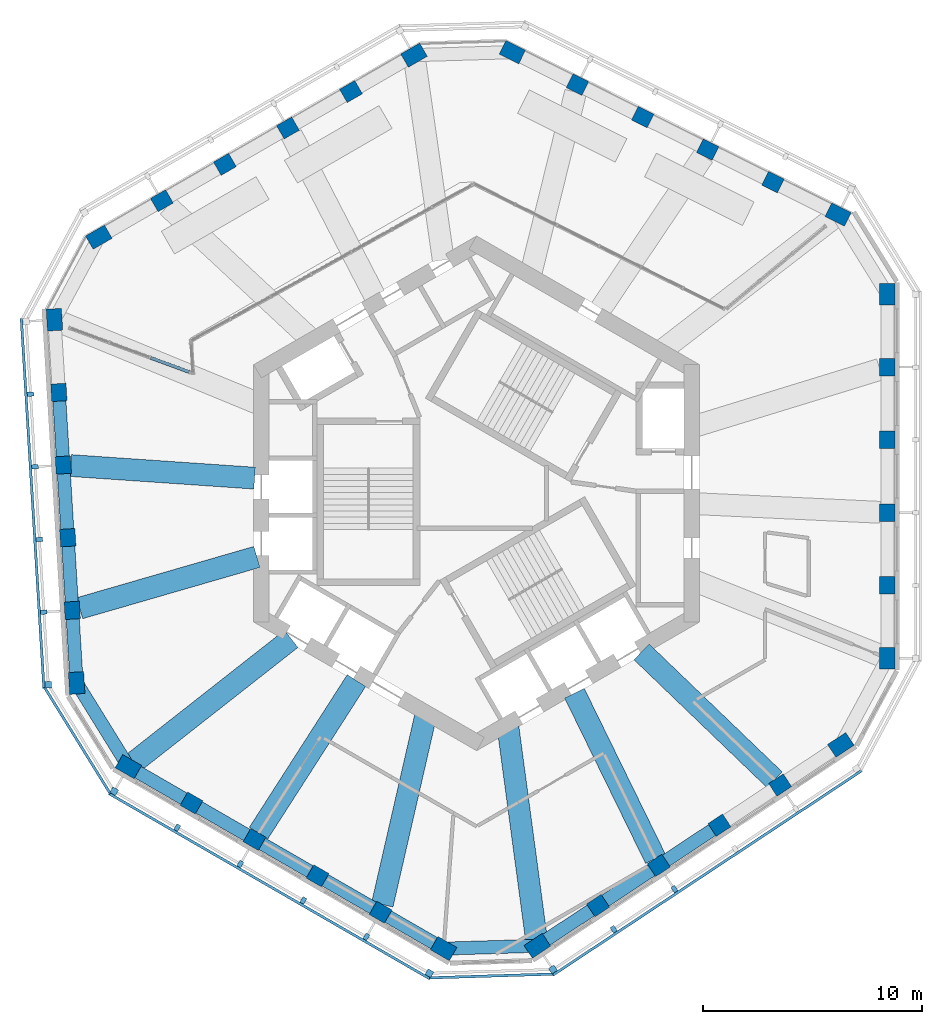
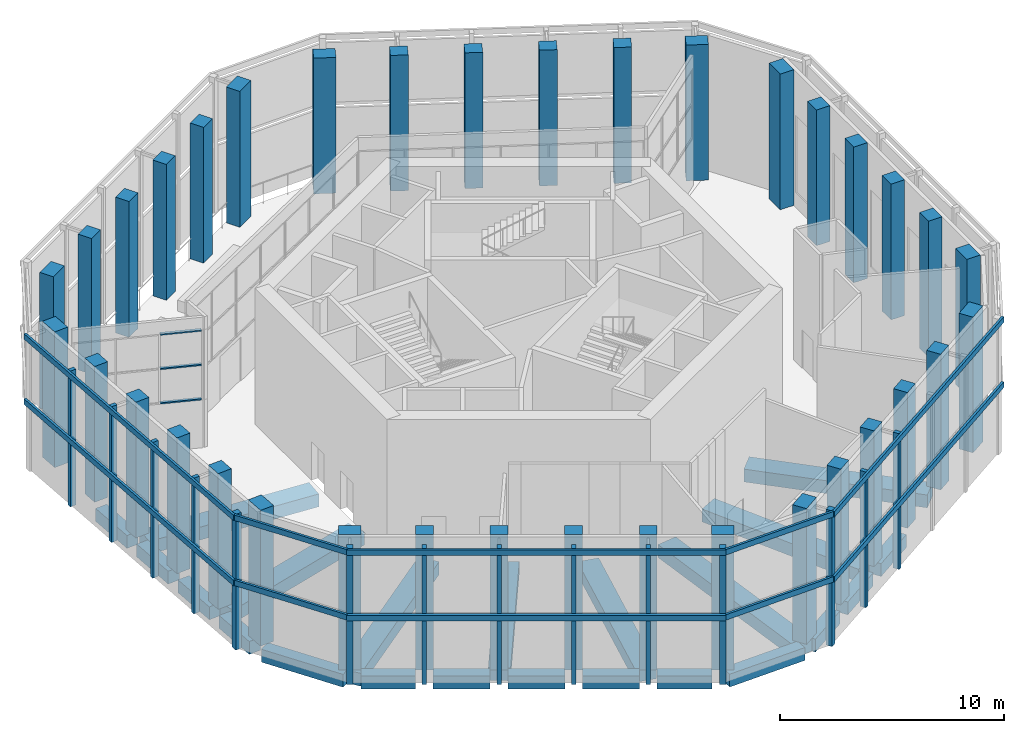
# One storey, part 1 of 16: 36 columns, 27 members, 22 beams, 6 elements without a shape of their own.
"""IFC4 building model written with IfcOpenShell, lengths in metres."""

from ifc_helpers import new_model, si_unit, direction, frame, origin, origin_2d, place, context, subcontext, project, spatial, rectangle, extrude, material, material_profile, profile_set, type_object, element, aggregate, save


model = new_model("IFC4")

# Units and contexts
model_context = context("Model", 3, precision=1e-05, world=origin(), true_north=direction((0.0, 1.0)))
body_context = subcontext(model_context, "Body", "Model", "MODEL_VIEW")
ifc_project = project(units=[si_unit("LENGTHUNIT", "METRE"), si_unit("AREAUNIT", "SQUARE_METRE"), si_unit("VOLUMEUNIT", "CUBIC_METRE"), si_unit("PLANEANGLEUNIT", "RADIAN"), si_unit("MASSUNIT", "GRAM", prefix="KILO")], contexts=[model_context])

# Site, building, storey
site_placement = place(None, origin())
site = spatial("IfcSite", under=ifc_project, at=site_placement, CompositionType="ELEMENT")
building_placement = place(site_placement, origin())
building = spatial("IfcBuilding", under=site, at=building_placement, Name="Vanh Sen Convention Tower", CompositionType="ELEMENT")
storey_placement = place(building_placement, frame((0.0, 0.0, 278.300048828125)))
storey = spatial("IfcBuildingStorey", under=building, at=storey_placement, Name="L69", CompositionType="ELEMENT", Elevation=278.300048828125)

# Columns
ifc_material_1 = material(Name="Concrete C60/75", Category="concrete")
ifc_material_profile_1 = material_profile(ifc_material_1, rectangle(XDim=0.800048828125, YDim=0.699951171875, at=origin_2d()), Name="RC 800X700")
ifc_profile_set_1 = profile_set([ifc_material_profile_1], Name="Concrete C60/75")
column_type_1 = type_object("IfcColumnType", Name="Facade column 800 x 700 C60/75", PredefinedType="COLUMN", material=ifc_profile_set_1)
for number, where, z_axis, x_axis, name in (
    (1, (18.800048828125, -4.215087890625, 0.0), (0.0, 0.0, 1.0), (0.0, 1.0, 0.0), "Facade column 02 L69"),
    (2, (18.800048828125, -0.88330078125, 0.0), (0.0, 0.0, 1.0), (0.0, 1.0, 0.0), "Facade column 03 L69"),
    (3, (18.800048828125, 2.4482421875, 0.0), (0.0, 0.0, 1.0), (0.0, 1.0, 0.0), "Facade column 04 L69"),
    (4, (18.800048828125, 5.77978515625, 0.0), (0.0, 0.0, 1.0), (0.0, 1.0, 0.0), "Facade column 05 L69"),
    (5, (13.56103515625, 14.245849609375, 0.0), (0.0, 0.0, 1.0), (-0.894934361602, 0.44619781311, 0.0), "Facade column 08 L69"),
    (6, (10.57958984375, 15.732421875, 0.0), (0.0, 0.0, 1.0), (-0.894934361602, 0.44619781311, 0.0), "Facade column 09 L69"),
    (7, (7.597900390625, 17.218994140625, 0.0), (0.0, 0.0, 1.0), (-0.894934361602, 0.44619781311, 0.0), "Facade column 10 L69"),
    (8, (4.6162109375, 18.70556640625, 0.0), (0.0, 0.0, 1.0), (-0.894934361602, 0.44619781311, 0.0), "Facade column 11 L69"),
    (9, (-5.74951171875, 18.388916015625, 0.0), (0.0, 0.0, 1.0), (-0.866025403784, -0.5, 0.0), "Facade column 14 L69"),
    (10, (-8.635009765625, 16.722900390625, 0.0), (0.0, 0.0, 1.0), (-0.866025403784, -0.5, 0.0), "Facade column 15 L69"),
    (11, (-11.520263671875, 15.05712890625, 0.0), (0.0, 0.0, 1.0), (-0.866025403784, -0.5, 0.0), "Facade column 16 L69"),
    (12, (-14.405517578125, 13.391357421875, 0.0), (0.0, 0.0, 1.0), (-0.866025403784, -0.5, 0.0), "Facade column 17 L69"),
    (13, (-19.117919921875, 4.621337890625, 0.0), (0.0, 0.0, 1.0), (0.061048539535, -0.998134798422, 0.0), "Facade column 20 L69"),
    (14, (-18.914306640625, 1.2958984375, 0.0), (0.0, 0.0, 1.0), (0.061048539535, -0.998134798422, 0.0), "Facade column 21 L69"),
    (15, (-18.7109375, -2.029541015625, 0.0), (0.0, 0.0, 1.0), (0.061048539535, -0.998134798422, 0.0), "Facade column 22 L69"),
    (16, (-18.507568359375, -5.35498046875, 0.0), (0.0, 0.0, 1.0), (0.061048539535, -0.998134798422, 0.0), "Facade column 23 L69"),
    (17, (-13.05029296875, -14.173583984375, 0.0), (0.0, 0.0, 1.0), (0.866025403784, -0.5, 0.0), "Facade column 26 L69"),
    (18, (-10.1650390625, -15.839599609375, 0.0), (0.0, 0.0, 1.0), (0.866025403784, -0.5, 0.0), "Facade column 27 L69"),
    (19, (-7.27978515625, -17.50537109375, 0.0), (0.0, 0.0, 1.0), (0.866025403784, -0.5, 0.0), "Facade column 28 L69"),
    (20, (-4.39453125, -19.171142578125, 0.0), (0.0, 0.0, 1.0), (0.866025403784, -0.5, 0.0), "Facade column 29 L69"),
    (21, (5.556640625, -18.8671875, 0.0), (0.0, 0.0, 1.0), (0.833885822067, 0.551936985312, 0.0), "Facade column 32 L69"),
    (22, (8.3349609375, -17.0283203125, 0.0), (0.0, 0.0, 1.0), (0.833885822067, 0.551936985312, 0.0), "Facade column 33 L69"),
    (23, (11.113037109375, -15.189453125, 0.0), (0.0, 0.0, 1.0), (0.833885822067, 0.551936985312, 0.0), "Facade column 34 L69"),
    (24, (13.891357421875, -13.3505859375, 0.0), (0.0, 0.0, 1.0), (0.833885822067, 0.551936985312, 0.0), "Facade column 35 L69"),
):
    element("IfcColumn", number, at=place(storey_placement, frame(where, z_axis=z_axis, x_axis=x_axis)), inside=storey, type_object=column_type_1, Name=name, PredefinedType="COLUMN", context=body_context, shape_type="SweptSolid", body=[
        extrude(rectangle(XDim=0.800048828125, YDim=0.699951171875, at=origin_2d()), origin(), (0.0, 0.0, 1.0), 7.39990234375),
    ])
ifc_material_profile_2 = material_profile(ifc_material_1, rectangle(XDim=1.0, YDim=0.699951171875, at=origin_2d()), Name="RC 1000X700")
ifc_profile_set_2 = profile_set([ifc_material_profile_2], Name="Concrete C60/75")
column_type_2 = type_object("IfcColumnType", Name="Facade corner column 1000 x 700 C60/75", PredefinedType="COLUMN", material=ifc_profile_set_2)
for number, where, z_axis, x_axis, name in (
    (25, (18.800048828125, -7.546630859375, 0.0), (0.0, 0.0, 1.0), (0.0, 1.0, 0.0), "Facade column 01 L69"),
    (26, (18.800048828125, 9.111572265625, 0.0), (0.0, 0.0, 1.0), (0.0, 1.0, 0.0), "Facade column 06 L69"),
    (27, (16.542724609375, 12.75927734375, 0.0), (0.0, 0.0, 1.0), (-0.894934361602, 0.44619781311, 0.0), "Facade column 07 L69"),
    (28, (1.634765625, 20.192138671875, 0.0), (0.0, 0.0, 1.0), (-0.894934361602, 0.44619781311, 0.0), "Facade column 12 L69"),
    (29, (-2.8642578125, 20.0546875, 0.0), (0.0, 0.0, 1.0), (-0.866025403784, -0.5, 0.0), "Facade column 13 L69"),
    (30, (-17.290771484375, 11.7255859375, 0.0), (0.0, 0.0, 1.0), (-0.866025403784, -0.5, 0.0), "Facade column 18 L69"),
    (31, (-19.3212890625, 7.94677734375, 0.0), (0.0, 0.0, 1.0), (0.061048539535, -0.998134798422, 0.0), "Facade column 19 L69"),
    (32, (-18.30419921875, -8.680419921875, 0.0), (0.0, 0.0, 1.0), (0.061048539535, -0.998134798422, 0.0), "Facade column 24 L69"),
    (33, (-15.935791015625, -12.5078125, 0.0), (0.0, 0.0, 1.0), (0.866025403784, -0.5, 0.0), "Facade column 25 L69"),
    (34, (-1.50927734375, -20.8369140625, 0.0), (0.0, 0.0, 1.0), (0.866025403784, -0.5, 0.0), "Facade column 30 L69"),
    (35, (2.7783203125, -20.7060546875, 0.0), (0.0, 0.0, 1.0), (0.833885822067, 0.551936985312, 0.0), "Facade column 31 L69"),
    (36, (16.66943359375, -11.51171875, 0.0), (0.0, 0.0, 1.0), (0.833885822067, 0.551936985312, 0.0), "Facade column 36 L69"),
):
    element("IfcColumn", number, at=place(storey_placement, frame(where, z_axis=z_axis, x_axis=x_axis)), inside=storey, type_object=column_type_2, Name=name, PredefinedType="COLUMN", context=body_context, shape_type="SweptSolid", body=[
        extrude(rectangle(XDim=1.0, YDim=0.699951171875, at=origin_2d()), origin(), (0.0, 0.0, 1.0), 7.39990234375),
    ])

# Curtain wall, members
ifc_material_2 = material(Name="Aluminium structural glazing system", Category="aluminium")
curtain_wall_type_1 = type_object("IfcCurtainWallType", Name="Sky garden structural glazing", PredefinedType="NOTDEFINED", material=ifc_material_2)
curtain_wall_1_placement = place(storey_placement, origin())
curtain_wall_1 = element("IfcCurtainWall", 37, at=curtain_wall_1_placement, inside=storey, type_object=curtain_wall_type_1, Name="Winter garden glazing 1 L69", PredefinedType="NOTDEFINED")
ifc_material_3 = material(Name="Aluminium transom", Category="aluminium")
ifc_material_profile_3 = material_profile(ifc_material_3, rectangle(XDim=0.14990234375, YDim=0.070068359375, at=origin_2d()), Name="Garden glazing transom 150 x 70")
ifc_profile_set_3 = profile_set([ifc_material_profile_3], Name="Aluminium transom")
member_type_1 = type_object("IfcMemberType", Name="Garden glazing transom 150 x 70", PredefinedType="USERDEFINED", material=ifc_profile_set_3)
member_1_placement = place(storey_placement, frame((-14.918212890625, 6.205078125, 2.635009765625), z_axis=(0.938503359517, -0.345270103216, 0.0), x_axis=(0.345270103216, 0.938503359517, 0.0)))
member_1 = element("IfcMember", 38, at=member_1_placement, type_object=member_type_1, Name="CW5 transom 3.1", ObjectType="TRANSOM", PredefinedType="USERDEFINED", context=body_context, shape_type="SweptSolid", body=[
    extrude(rectangle(XDim=0.14990234375, YDim=0.070068359375, at=origin_2d()), origin(), (0.0, 0.0, 1.0), 1.87158203125),
])
member_2_placement = place(storey_placement, frame((-14.918212890625, 6.205078125, 4.510009765625), z_axis=(0.938503359517, -0.345270103216, 0.0), x_axis=(0.345270103216, 0.938503359517, 0.0)))
member_2 = element("IfcMember", 39, at=member_2_placement, type_object=member_type_1, Name="CW5 transom 3.2", ObjectType="TRANSOM", PredefinedType="USERDEFINED", context=body_context, shape_type="SweptSolid", body=[
    extrude(rectangle(XDim=0.14990234375, YDim=0.070068359375, at=origin_2d()), origin(), (0.0, 0.0, 1.0), 1.87158203125),
])
member_3_placement = place(storey_placement, frame((-14.918212890625, 6.205078125, 6.385009765625), z_axis=(0.938503359517, -0.345270103216, 0.0), x_axis=(0.345270103216, 0.938503359517, 0.0)))
member_3 = element("IfcMember", 40, at=member_3_placement, type_object=member_type_1, Name="CW5 transom 3.3", ObjectType="TRANSOM", PredefinedType="USERDEFINED", context=body_context, shape_type="SweptSolid", body=[
    extrude(rectangle(XDim=0.14990234375, YDim=0.070068359375, at=origin_2d()), origin(), (0.0, 0.0, 1.0), 1.87158203125),
])
aggregate(curtain_wall_1, [member_1, member_2, member_3])

# Curtain wall, member
ifc_material_4 = material(Name="Concrete C50/60", Category="concrete")
curtain_wall_type_2 = type_object("IfcCurtainWallType", Name="Outer skin office zone", PredefinedType="NOTDEFINED", material=ifc_material_4)
curtain_wall_2_placement = place(storey_placement, origin())
curtain_wall_2 = element("IfcCurtainWall", 41, at=curtain_wall_2_placement, inside=storey, type_object=curtain_wall_type_2, Name="OUTER SKIN W L69", PredefinedType="NOTDEFINED")
ifc_material_profile_4 = material_profile(ifc_material_4, rectangle(XDim=0.300048828125, YDim=0.300048828125, at=origin_2d()), Name="Outer skin precast corner fin 300 x 300")
ifc_profile_set_4 = profile_set([ifc_material_profile_4], Name="Concrete C50/60")
member_type_2 = type_object("IfcMemberType", Name="Outer skin precast corner fin 300 x 300", PredefinedType="MULLION", material=ifc_profile_set_4)
member_4_placement = place(storey_placement, frame((-19.601806640625, -8.759765625, 0.0), z_axis=(0.0, 0.0, 1.0), x_axis=(0.061048539535, -0.998134798422, 0.0)))
member_4 = element("IfcMember", 42, at=member_4_placement, type_object=member_type_2, Name="OUTER SKIN CORNER FIN 6 W L69", PredefinedType="MULLION", context=body_context, shape_type="SweptSolid", body=[
    extrude(rectangle(XDim=0.300048828125, YDim=0.300048828125, at=origin_2d()), origin(), (0.0, 0.0, 1.0), 7.39990234375),
])

# Curtain wall, members
curtain_wall_3_placement = place(storey_placement, origin())
curtain_wall_3 = element("IfcCurtainWall", 43, at=curtain_wall_3_placement, inside=storey, type_object=curtain_wall_type_2, Name="OUTER SKIN SW L69", PredefinedType="NOTDEFINED")
member_5_placement = place(storey_placement, frame((-16.585693359375, -13.6337890625, 0.0), z_axis=(0.0, 0.0, 1.0), x_axis=(0.866025403784, -0.5, 0.0)))
member_5 = element("IfcMember", 44, at=member_5_placement, type_object=member_type_2, Name="OUTER SKIN CORNER FIN 1 SW L69", PredefinedType="MULLION", context=body_context, shape_type="SweptSolid", body=[
    extrude(rectangle(XDim=0.300048828125, YDim=0.300048828125, at=origin_2d()), origin(), (0.0, 0.0, 1.0), 7.39990234375),
])
member_6_placement = place(storey_placement, frame((-2.1591796875, -21.962890625, 0.0), z_axis=(0.0, 0.0, 1.0), x_axis=(0.866025403784, -0.5, 0.0)))
member_6 = element("IfcMember", 45, at=member_6_placement, type_object=member_type_2, Name="OUTER SKIN CORNER FIN 6 SW L69", PredefinedType="MULLION", context=body_context, shape_type="SweptSolid", body=[
    extrude(rectangle(XDim=0.300048828125, YDim=0.300048828125, at=origin_2d()), origin(), (0.0, 0.0, 1.0), 7.39990234375),
])

# Curtain wall, member
curtain_wall_4_placement = place(storey_placement, origin())
curtain_wall_4 = element("IfcCurtainWall", 46, at=curtain_wall_4_placement, inside=storey, type_object=curtain_wall_type_2, Name="OUTER SKIN SE L69", PredefinedType="NOTDEFINED")
member_7_placement = place(storey_placement, frame((3.495849609375, -21.7900390625, 0.0), z_axis=(0.0, 0.0, 1.0), x_axis=(0.833885822067, 0.551936985312, 0.0)))
member_7 = element("IfcMember", 47, at=member_7_placement, type_object=member_type_2, Name="OUTER SKIN CORNER FIN 1 SE L69", PredefinedType="MULLION", context=body_context, shape_type="SweptSolid", body=[
    extrude(rectangle(XDim=0.300048828125, YDim=0.300048828125, at=origin_2d()), origin(), (0.0, 0.0, 1.0), 7.39990234375),
])

# Member
ifc_material_profile_5 = material_profile(ifc_material_4, rectangle(XDim=0.199951171875, YDim=0.300048828125, at=origin_2d()), Name="Outer skin precast fin 200 x 300")
ifc_profile_set_5 = profile_set([ifc_material_profile_5], Name="Concrete C50/60")
member_type_3 = type_object("IfcMemberType", Name="Outer skin precast fin 200 x 300", PredefinedType="MULLION", material=ifc_profile_set_5)
member_8_placement = place(storey_placement, frame((-20.415283203125, 4.5419921875, 0.0), z_axis=(0.0, 0.0, 1.0), x_axis=(0.061048539535, -0.998134798422, 0.0)))
member_8 = element("IfcMember", 48, at=member_8_placement, type_object=member_type_3, Name="OUTER SKIN fin 2 W L69", PredefinedType="MULLION", context=body_context, shape_type="SweptSolid", body=[
    extrude(rectangle(XDim=0.199951171875, YDim=0.300048828125, at=origin_2d()), origin(), (0.0, 0.0, 1.0), 7.39990234375),
])

member_9_placement = place(storey_placement, frame((-20.2119140625, 1.216552734375, 0.0), z_axis=(0.0, 0.0, 1.0), x_axis=(0.061048539535, -0.998134798422, 0.0)))
member_9 = element("IfcMember", 49, at=member_9_placement, type_object=member_type_3, Name="OUTER SKIN fin 3 W L69", PredefinedType="MULLION", context=body_context, shape_type="SweptSolid", body=[
    extrude(rectangle(XDim=0.199951171875, YDim=0.300048828125, at=origin_2d()), origin(), (0.0, 0.0, 1.0), 7.39990234375),
])

member_10_placement = place(storey_placement, frame((-20.008544921875, -2.10888671875, 0.0), z_axis=(0.0, 0.0, 1.0), x_axis=(0.061048539535, -0.998134798422, 0.0)))
member_10 = element("IfcMember", 50, at=member_10_placement, type_object=member_type_3, Name="OUTER SKIN fin 4 W L69", PredefinedType="MULLION", context=body_context, shape_type="SweptSolid", body=[
    extrude(rectangle(XDim=0.199951171875, YDim=0.300048828125, at=origin_2d()), origin(), (0.0, 0.0, 1.0), 7.39990234375),
])

member_11_placement = place(storey_placement, frame((-19.80517578125, -5.434326171875, 0.0), z_axis=(0.0, 0.0, 1.0), x_axis=(0.061048539535, -0.998134798422, 0.0)))
member_11 = element("IfcMember", 51, at=member_11_placement, type_object=member_type_3, Name="OUTER SKIN fin 5 W L69", PredefinedType="MULLION", context=body_context, shape_type="SweptSolid", body=[
    extrude(rectangle(XDim=0.199951171875, YDim=0.300048828125, at=origin_2d()), origin(), (0.0, 0.0, 1.0), 7.39990234375),
])

member_12_placement = place(storey_placement, frame((-13.700439453125, -15.299560546875, 0.0), z_axis=(0.0, 0.0, 1.0), x_axis=(0.866025403784, -0.5, 0.0)))
member_12 = element("IfcMember", 52, at=member_12_placement, type_object=member_type_3, Name="OUTER SKIN fin 2 SW L69", PredefinedType="MULLION", context=body_context, shape_type="SweptSolid", body=[
    extrude(rectangle(XDim=0.199951171875, YDim=0.300048828125, at=origin_2d()), origin(), (0.0, 0.0, 1.0), 7.39990234375),
])

member_13_placement = place(storey_placement, frame((-10.815185546875, -16.96533203125, 0.0), z_axis=(0.0, 0.0, 1.0), x_axis=(0.866025403784, -0.5, 0.0)))
member_13 = element("IfcMember", 53, at=member_13_placement, type_object=member_type_3, Name="OUTER SKIN fin 3 SW L69", PredefinedType="MULLION", context=body_context, shape_type="SweptSolid", body=[
    extrude(rectangle(XDim=0.199951171875, YDim=0.300048828125, at=origin_2d()), origin(), (0.0, 0.0, 1.0), 7.39990234375),
])

member_14_placement = place(storey_placement, frame((-7.9296875, -18.631103515625, 0.0), z_axis=(0.0, 0.0, 1.0), x_axis=(0.866025403784, -0.5, 0.0)))
member_14 = element("IfcMember", 54, at=member_14_placement, type_object=member_type_3, Name="OUTER SKIN fin 4 SW L69", PredefinedType="MULLION", context=body_context, shape_type="SweptSolid", body=[
    extrude(rectangle(XDim=0.199951171875, YDim=0.300048828125, at=origin_2d()), origin(), (0.0, 0.0, 1.0), 7.39990234375),
])

member_15_placement = place(storey_placement, frame((-5.04443359375, -20.297119140625, 0.0), z_axis=(0.0, 0.0, 1.0), x_axis=(0.866025403784, -0.5, 0.0)))
member_15 = element("IfcMember", 55, at=member_15_placement, type_object=member_type_3, Name="OUTER SKIN fin 5 SW L69", PredefinedType="MULLION", context=body_context, shape_type="SweptSolid", body=[
    extrude(rectangle(XDim=0.199951171875, YDim=0.300048828125, at=origin_2d()), origin(), (0.0, 0.0, 1.0), 7.39990234375),
])

member_16_placement = place(storey_placement, frame((6.274169921875, -19.951416015625, 0.0), z_axis=(0.0, 0.0, 1.0), x_axis=(0.833885822067, 0.551936985312, 0.0)))
member_16 = element("IfcMember", 56, at=member_16_placement, type_object=member_type_3, Name="OUTER SKIN fin 2 SE L69", PredefinedType="MULLION", context=body_context, shape_type="SweptSolid", body=[
    extrude(rectangle(XDim=0.199951171875, YDim=0.300048828125, at=origin_2d()), origin(), (0.0, 0.0, 1.0), 7.39990234375),
])

member_17_placement = place(storey_placement, frame((9.052490234375, -18.1123046875, 0.0), z_axis=(0.0, 0.0, 1.0), x_axis=(0.833885822067, 0.551936985312, 0.0)))
member_17 = element("IfcMember", 57, at=member_17_placement, type_object=member_type_3, Name="OUTER SKIN fin 3 SE L69", PredefinedType="MULLION", context=body_context, shape_type="SweptSolid", body=[
    extrude(rectangle(XDim=0.199951171875, YDim=0.300048828125, at=origin_2d()), origin(), (0.0, 0.0, 1.0), 7.39990234375),
])

ifc_material_profile_6 = material_profile(ifc_material_4, rectangle(XDim=0.1201171875, YDim=0.300048828125, at=origin_2d()), Name="Outer skin precast spandrel band 300 x 120")
ifc_profile_set_6 = profile_set([ifc_material_profile_6], Name="Concrete C50/60")
member_type_4 = type_object("IfcMemberType", Name="Outer skin precast spandrel band 300 x 120", PredefinedType="USERDEFINED", material=ifc_profile_set_6)
member_18_placement = place(storey_placement, frame((-20.83740234375, 8.00439453125, 7.25), z_axis=(0.061040984027, -0.998135260508, 0.0), x_axis=(0.998135260508, 0.061040984027, 0.0)))
member_18 = element("IfcMember", 58, at=member_18_placement, type_object=member_type_4, Name="OUTER SKIN spandrel band W L69", ObjectType="TRANSOM", PredefinedType="USERDEFINED", context=body_context, shape_type="SweptSolid", body=[
    extrude(rectangle(XDim=0.1201171875, YDim=0.300048828125, at=origin_2d()), origin(), (0.0, 0.0, 1.0), 16.95849609375),
])

member_19_placement = place(storey_placement, frame((-20.83740234375, 8.00439453125, 3.699951171875), z_axis=(0.061040984027, -0.998135260508, 0.0), x_axis=(0.998135260508, 0.061040984027, 0.0)))
member_19 = element("IfcMember", 59, at=member_19_placement, type_object=member_type_4, Name="OUTER SKIN spandrel band W L69 mid", ObjectType="TRANSOM", PredefinedType="USERDEFINED", context=body_context, shape_type="SweptSolid", body=[
    extrude(rectangle(XDim=0.1201171875, YDim=0.300048828125, at=origin_2d()), origin(), (0.0, 0.0, 1.0), 16.95849609375),
])

aggregate(curtain_wall_2, [member_8, member_9, member_10, member_11, member_4, member_18, member_19])

# Curtain wall, members
curtain_wall_5_placement = place(storey_placement, origin())
curtain_wall_5 = element("IfcCurtainWall", 60, at=curtain_wall_5_placement, inside=storey, type_object=curtain_wall_type_2, Name="OUTER SKIN CH4 L69", PredefinedType="NOTDEFINED")
member_20_placement = place(storey_placement, frame((-19.7802734375, -8.870361328125, 7.25), z_axis=(0.526199162152, -0.850361359512, 0.0), x_axis=(0.850361359512, 0.526199162152, 0.0)))
member_20 = element("IfcMember", 61, at=member_20_placement, type_object=member_type_4, Name="OUTER SKIN spandrel band CH4 L69", ObjectType="TRANSOM", PredefinedType="USERDEFINED", context=body_context, shape_type="SweptSolid", body=[
    extrude(rectangle(XDim=0.1201171875, YDim=0.300048828125, at=origin_2d()), origin(), (0.0, 0.0, 1.0), 5.7314453125),
])
member_21_placement = place(storey_placement, frame((-19.7802734375, -8.870361328125, 3.699951171875), z_axis=(0.526199162152, -0.850361359512, 0.0), x_axis=(0.850361359512, 0.526199162152, 0.0)))
member_21 = element("IfcMember", 62, at=member_21_placement, type_object=member_type_4, Name="OUTER SKIN spandrel band CH4 L69 mid", ObjectType="TRANSOM", PredefinedType="USERDEFINED", context=body_context, shape_type="SweptSolid", body=[
    extrude(rectangle(XDim=0.1201171875, YDim=0.300048828125, at=origin_2d()), origin(), (0.0, 0.0, 1.0), 5.7314453125),
])
aggregate(curtain_wall_5, [member_20, member_21])

# Member
member_22_placement = place(storey_placement, frame((-16.820556640625, -13.740478515625, 7.25), z_axis=(0.866022320763, -0.500005339912, 0.0), x_axis=(0.500005339912, 0.866022320763, 0.0)))
member_22 = element("IfcMember", 63, at=member_22_placement, type_object=member_type_4, Name="OUTER SKIN spandrel band SW L69", ObjectType="TRANSOM", PredefinedType="USERDEFINED", context=body_context, shape_type="SweptSolid", body=[
    extrude(rectangle(XDim=0.1201171875, YDim=0.300048828125, at=origin_2d()), origin(), (0.0, 0.0, 1.0), 16.958251953125),
])

member_23_placement = place(storey_placement, frame((-16.820556640625, -13.740478515625, 3.699951171875), z_axis=(0.866022320763, -0.500005339912, 0.0), x_axis=(0.500005339912, 0.866022320763, 0.0)))
member_23 = element("IfcMember", 64, at=member_23_placement, type_object=member_type_4, Name="OUTER SKIN spandrel band SW L69 mid", ObjectType="TRANSOM", PredefinedType="USERDEFINED", context=body_context, shape_type="SweptSolid", body=[
    extrude(rectangle(XDim=0.1201171875, YDim=0.300048828125, at=origin_2d()), origin(), (0.0, 0.0, 1.0), 16.958251953125),
])

aggregate(curtain_wall_3, [member_5, member_12, member_13, member_14, member_15, member_6, member_22, member_23])

# Curtain wall, members
curtain_wall_6_placement = place(storey_placement, origin())
curtain_wall_6 = element("IfcCurtainWall", 65, at=curtain_wall_6_placement, inside=storey, type_object=curtain_wall_type_2, Name="OUTER SKIN CH5 L69", PredefinedType="NOTDEFINED")
member_24_placement = place(storey_placement, frame((-2.15283203125, -22.172607421875, 7.25), z_axis=(0.999534504066, 0.030508608314, 0.0), x_axis=(-0.030508608314, 0.999534504066, 0.0)))
member_24 = element("IfcMember", 66, at=member_24_placement, type_object=member_type_4, Name="OUTER SKIN spandrel band CH5 L69", ObjectType="TRANSOM", PredefinedType="USERDEFINED", context=body_context, shape_type="SweptSolid", body=[
    extrude(rectangle(XDim=0.1201171875, YDim=0.300048828125, at=origin_2d()), origin(), (0.0, 0.0, 1.0), 5.65771484375),
])
member_25_placement = place(storey_placement, frame((-2.15283203125, -22.172607421875, 3.699951171875), z_axis=(0.999534504066, 0.030508608314, 0.0), x_axis=(-0.030508608314, 0.999534504066, 0.0)))
member_25 = element("IfcMember", 67, at=member_25_placement, type_object=member_type_4, Name="OUTER SKIN spandrel band CH5 L69 mid", ObjectType="TRANSOM", PredefinedType="USERDEFINED", context=body_context, shape_type="SweptSolid", body=[
    extrude(rectangle(XDim=0.1201171875, YDim=0.300048828125, at=origin_2d()), origin(), (0.0, 0.0, 1.0), 5.65771484375),
])
aggregate(curtain_wall_6, [member_24, member_25])

# Member
member_26_placement = place(storey_placement, frame((3.48681640625, -22.048095703125, 7.25), z_axis=(0.833877443168, 0.551949644239, 0.0), x_axis=(-0.551949644239, 0.833877443168, 0.0)))
member_26 = element("IfcMember", 68, at=member_26_placement, type_object=member_type_4, Name="OUTER SKIN spandrel band SE L69", ObjectType="TRANSOM", PredefinedType="USERDEFINED", context=body_context, shape_type="SweptSolid", body=[
    extrude(rectangle(XDim=0.1201171875, YDim=0.300048828125, at=origin_2d()), origin(), (0.0, 0.0, 1.0), 16.958251953125),
])

member_27_placement = place(storey_placement, frame((3.48681640625, -22.048095703125, 3.699951171875), z_axis=(0.833877443168, 0.551949644239, 0.0), x_axis=(-0.551949644239, 0.833877443168, 0.0)))
member_27 = element("IfcMember", 69, at=member_27_placement, type_object=member_type_4, Name="OUTER SKIN spandrel band SE L69 mid", ObjectType="TRANSOM", PredefinedType="USERDEFINED", context=body_context, shape_type="SweptSolid", body=[
    extrude(rectangle(XDim=0.1201171875, YDim=0.300048828125, at=origin_2d()), origin(), (0.0, 0.0, 1.0), 16.958251953125),
])

aggregate(curtain_wall_4, [member_7, member_16, member_17, member_26, member_27])

# Beams
ifc_material_5 = material(Name="Concrete C50/60", Category="concrete")
ifc_material_profile_7 = material_profile(ifc_material_5, rectangle(XDim=1.0, YDim=0.699951171875, at=origin_2d()), Name="RC 1000X700")
ifc_profile_set_7 = profile_set([ifc_material_profile_7], Name="Concrete C50/60")
beam_type_1 = type_object("IfcBeamType", Name="Radial floor beam 1000 x 700", PredefinedType="BEAM", material=ifc_profile_set_7)
beam_1_placement = place(storey_placement, frame((-18.5673828125, 1.272216796875, -0.699951171875), z_axis=(0.997661428588, -0.068349644528, 0.0), x_axis=(0.068349644528, 0.997661428588, 0.0)))
element("IfcBeam", 70, at=beam_1_placement, inside=storey, type_object=beam_type_1, Name="Radial beam 11 L69", PredefinedType="BEAM", context=body_context, shape_type="SweptSolid", body=[
    extrude(rectangle(XDim=1.0, YDim=0.699951171875, at=origin_2d()), origin(), (0.0, 0.0, 1.0), 8.42626953125),
])
beam_2_placement = place(storey_placement, frame((-18.16796875, -5.256591796875, -0.699951171875), z_axis=(0.960603271213, 0.27792329038, 0.0), x_axis=(-0.27792329038, 0.960603271213, 0.0)))
element("IfcBeam", 71, at=beam_2_placement, inside=storey, type_object=beam_type_1, Name="Radial beam 12 L69", PredefinedType="BEAM", context=body_context, shape_type="SweptSolid", body=[
    extrude(rectangle(XDim=1.0, YDim=0.699951171875, at=origin_2d()), origin(), (0.0, 0.0, 1.0), 8.444580078125),
])
beam_3_placement = place(storey_placement, frame((-15.86376953125, -12.451416015625, -0.699951171875), z_axis=(0.786631594565, 0.617422654615, 0.0), x_axis=(-0.617422654615, 0.786631594565, 0.0)))
element("IfcBeam", 72, at=beam_3_placement, inside=storey, type_object=beam_type_1, Name="Radial beam 13 L69", PredefinedType="BEAM", context=body_context, shape_type="SweptSolid", body=[
    extrude(rectangle(XDim=1.0, YDim=0.699951171875, at=origin_2d()), origin(), (0.0, 0.0, 1.0), 9.38134765625),
])
beam_4_placement = place(storey_placement, frame((-9.978515625, -15.548828125, -0.699951171875), z_axis=(0.540096753763, 0.841602932846, 0.0), x_axis=(-0.841602932846, 0.540096753763, 0.0)))
element("IfcBeam", 73, at=beam_4_placement, inside=storey, type_object=beam_type_1, Name="Radial beam 14 L69", PredefinedType="BEAM", context=body_context, shape_type="SweptSolid", body=[
    extrude(rectangle(XDim=1.0, YDim=0.699951171875, at=origin_2d()), origin(), (0.0, 0.0, 1.0), 8.29248046875),
])
beam_5_placement = place(storey_placement, frame((-4.313720703125, -18.819091796875, -0.699951171875), z_axis=(0.22340967383, 0.974724636828, 0.0), x_axis=(-0.974724636828, 0.22340967383, 0.0)))
element("IfcBeam", 74, at=beam_5_placement, inside=storey, type_object=beam_type_1, Name="Radial beam 15 L69", PredefinedType="BEAM", context=body_context, shape_type="SweptSolid", body=[
    extrude(rectangle(XDim=1.0, YDim=0.699951171875, at=origin_2d()), origin(), (0.0, 0.0, 1.0), 8.794921875),
])
beam_6_placement = place(storey_placement, frame((2.763916015625, -20.59716796875, -0.699951171875), z_axis=(-0.13300793804, 0.991114972351, 0.0), x_axis=(-0.991114972351, -0.13300793804, 0.0)))
element("IfcBeam", 75, at=beam_6_placement, inside=storey, type_object=beam_type_1, Name="Radial beam 16 L69", PredefinedType="BEAM", context=body_context, shape_type="SweptSolid", body=[
    extrude(rectangle(XDim=1.0, YDim=0.699951171875, at=origin_2d()), origin(), (0.0, 0.0, 1.0), 9.96337890625),
])
beam_7_placement = place(storey_placement, frame((8.181884765625, -16.7158203125, -0.699951171875), z_axis=(-0.43962945739, 0.898179236119, 0.0), x_axis=(-0.898179236119, -0.43962945739, 0.0)))
element("IfcBeam", 76, at=beam_7_placement, inside=storey, type_object=beam_type_1, Name="Radial beam 17 L69", PredefinedType="BEAM", context=body_context, shape_type="SweptSolid", body=[
    extrude(rectangle(XDim=1.0, YDim=0.699951171875, at=origin_2d()), origin(), (0.0, 0.0, 1.0), 8.426025390625),
])
beam_8_placement = place(storey_placement, frame((13.63623046875, -13.10546875, -0.699951171875), z_axis=(-0.721004158524, 0.692930734916, 0.0), x_axis=(-0.692930734916, -0.721004158524, 0.0)))
element("IfcBeam", 77, at=beam_8_placement, inside=storey, type_object=beam_type_1, Name="Radial beam 18 L69", PredefinedType="BEAM", context=body_context, shape_type="SweptSolid", body=[
    extrude(rectangle(XDim=1.0, YDim=0.699951171875, at=origin_2d()), origin(), (0.0, 0.0, 1.0), 8.4443359375),
])
ifc_material_profile_8 = material_profile(ifc_material_5, rectangle(XDim=0.60009765625, YDim=0.699951171875, at=origin_2d()), Name="RC 600X700")
ifc_profile_set_8 = profile_set([ifc_material_profile_8], Name="Concrete C50/60")
beam_type_2 = type_object("IfcBeamType", Name="Spandrel beam 600 x 700", PredefinedType="SPANDREL", material=ifc_profile_set_8)
beam_9_placement = place(storey_placement, frame((-19.09375, 4.227294921875, -0.699951171875), z_axis=(0.061086629106, -0.998132468034, 0.0), x_axis=(0.998132468034, 0.061086629106, 0.0)))
element("IfcBeam", 78, at=beam_9_placement, inside=storey, type_object=beam_type_2, Name="Spandrel beam 20 L69", PredefinedType="SPANDREL", context=body_context, shape_type="SweptSolid", body=[
    extrude(rectangle(XDim=0.60009765625, YDim=0.699951171875, at=origin_2d()), origin(), (0.0, 0.0, 1.0), 2.541748046875),
])
beam_10_placement = place(storey_placement, frame((-18.890380859375, 0.901611328125, -0.699951171875), z_axis=(0.061092485967, -0.998132109572, 0.0), x_axis=(0.998132109572, 0.061092485967, 0.0)))
element("IfcBeam", 79, at=beam_10_placement, inside=storey, type_object=beam_type_2, Name="Spandrel beam 21 L69", PredefinedType="SPANDREL", context=body_context, shape_type="SweptSolid", body=[
    extrude(rectangle(XDim=0.60009765625, YDim=0.699951171875, at=origin_2d()), origin(), (0.0, 0.0, 1.0), 2.54150390625),
])
beam_11_placement = place(storey_placement, frame((-18.68701171875, -2.423583984375, -0.699951171875), z_axis=(0.061086629106, -0.998132468034, 0.0), x_axis=(0.998132468034, 0.061086629106, 0.0)))
element("IfcBeam", 80, at=beam_11_placement, inside=storey, type_object=beam_type_2, Name="Spandrel beam 22 L69", PredefinedType="SPANDREL", context=body_context, shape_type="SweptSolid", body=[
    extrude(rectangle(XDim=0.60009765625, YDim=0.699951171875, at=origin_2d()), origin(), (0.0, 0.0, 1.0), 2.541748046875),
])
beam_12_placement = place(storey_placement, frame((-18.4833984375, -5.7490234375, -0.699951171875), z_axis=(0.060990123754, -0.998138369568, 0.0), x_axis=(0.998138369568, 0.060990123754, 0.0)))
element("IfcBeam", 81, at=beam_12_placement, inside=storey, type_object=beam_type_2, Name="Spandrel beam 23 L69", PredefinedType="SPANDREL", context=body_context, shape_type="SweptSolid", body=[
    extrude(rectangle(XDim=0.60009765625, YDim=0.699951171875, at=origin_2d()), origin(), (0.0, 0.0, 1.0), 2.44189453125),
])
beam_13_placement = place(storey_placement, frame((-18.21142578125, -8.830078125, -0.699951171875), z_axis=(0.526190514545, -0.850366710545, 0.0), x_axis=(0.850366710545, 0.526190514545, 0.0)))
element("IfcBeam", 82, at=beam_13_placement, inside=storey, type_object=beam_type_2, Name="Spandrel beam 24 L69", PredefinedType="SPANDREL", context=body_context, shape_type="SweptSolid", body=[
    extrude(rectangle(XDim=0.60009765625, YDim=0.699951171875, at=origin_2d()), origin(), (0.0, 0.0, 1.0), 4.14892578125),
])
beam_14_placement = place(storey_placement, frame((-15.507080078125, -12.75537109375, -0.699951171875), z_axis=(0.866000753341, -0.500042693391, 0.0), x_axis=(0.500042693391, 0.866000753341, 0.0)))
element("IfcBeam", 83, at=beam_14_placement, inside=storey, type_object=beam_type_2, Name="Spandrel beam 25 L69", PredefinedType="SPANDREL", context=body_context, shape_type="SweptSolid", body=[
    extrude(rectangle(XDim=0.60009765625, YDim=0.699951171875, at=origin_2d()), origin(), (0.0, 0.0, 1.0), 2.441650390625),
])
for number, where, z_axis, x_axis, name in (
    (84, (-12.708251953125, -14.37109375, -0.699951171875), (0.866000032975, -0.500043940957, 0.0), (0.500043940957, 0.866000032975, 0.0), "Spandrel beam 26 L69"),
    (85, (-9.822998046875, -16.037109375, -0.699951171875), (0.866041625918, -0.499971901387, 0.0), (0.499971901387, 0.866041625918, 0.0), "Spandrel beam 27 L69"),
    (86, (-6.937744140625, -17.702880859375, -0.699951171875), (0.866041625918, -0.499971901387, 0.0), (0.499971901387, 0.866041625918, 0.0), "Spandrel beam 28 L69"),
):
    element("IfcBeam", number, at=place(storey_placement, frame(where, z_axis=z_axis, x_axis=x_axis)), inside=storey, type_object=beam_type_2, Name=name, PredefinedType="SPANDREL", context=body_context, shape_type="SweptSolid", body=[
        extrude(rectangle(XDim=0.60009765625, YDim=0.699951171875, at=origin_2d()), origin(), (0.0, 0.0, 1.0), 2.541748046875),
    ])
beam_15_placement = place(storey_placement, frame((-4.052490234375, -19.36865234375, -0.699951171875), z_axis=(0.866000753341, -0.500042693391, 0.0), x_axis=(0.500042693391, 0.866000753341, 0.0)))
element("IfcBeam", 87, at=beam_15_placement, inside=storey, type_object=beam_type_2, Name="Spandrel beam 29 L69", PredefinedType="SPANDREL", context=body_context, shape_type="SweptSolid", body=[
    extrude(rectangle(XDim=0.60009765625, YDim=0.699951171875, at=origin_2d()), origin(), (0.0, 0.0, 1.0), 2.441650390625),
])
beam_16_placement = place(storey_placement, frame((-1.333984375, -20.83154296875, -0.699951171875), z_axis=(0.999534960322, 0.03049365663, 0.0), x_axis=(-0.03049365663, 0.999534960322, 0.0)))
element("IfcBeam", 88, at=beam_16_placement, inside=storey, type_object=beam_type_2, Name="Spandrel beam 30 L69", PredefinedType="SPANDREL", context=body_context, shape_type="SweptSolid", body=[
    extrude(rectangle(XDim=0.60009765625, YDim=0.699951171875, at=origin_2d()), origin(), (0.0, 0.0, 1.0), 3.939208984375),
])
beam_17_placement = place(storey_placement, frame((3.191162109375, -20.432861328125, -0.699951171875), z_axis=(0.833891601137, 0.55192825399, 0.0), x_axis=(-0.55192825399, 0.833891601137, 0.0)))
element("IfcBeam", 89, at=beam_17_placement, inside=storey, type_object=beam_type_2, Name="Spandrel beam 31 L69", PredefinedType="SPANDREL", context=body_context, shape_type="SweptSolid", body=[
    extrude(rectangle(XDim=0.60009765625, YDim=0.699951171875, at=origin_2d()), origin(), (0.0, 0.0, 1.0), 2.441650390625),
])
beam_18_placement = place(storey_placement, frame((5.885986328125, -18.649169921875, -0.699951171875), z_axis=(0.833907502564, 0.551904228257, 0.0), x_axis=(-0.551904228257, 0.833907502564, 0.0)))
element("IfcBeam", 90, at=beam_18_placement, inside=storey, type_object=beam_type_2, Name="Spandrel beam 32 L69", PredefinedType="SPANDREL", context=body_context, shape_type="SweptSolid", body=[
    extrude(rectangle(XDim=0.60009765625, YDim=0.699951171875, at=origin_2d()), origin(), (0.0, 0.0, 1.0), 2.541748046875),
])
beam_19_placement = place(storey_placement, frame((8.664306640625, -16.810302734375, -0.699951171875), z_axis=(0.833878242334, 0.551948436868, 0.0), x_axis=(-0.551948436868, 0.833878242334, 0.0)))
element("IfcBeam", 91, at=beam_19_placement, inside=storey, type_object=beam_type_2, Name="Spandrel beam 33 L69", PredefinedType="SPANDREL", context=body_context, shape_type="SweptSolid", body=[
    extrude(rectangle(XDim=0.60009765625, YDim=0.699951171875, at=origin_2d()), origin(), (0.0, 0.0, 1.0), 2.54150390625),
])

save(model, "model.ifc")
